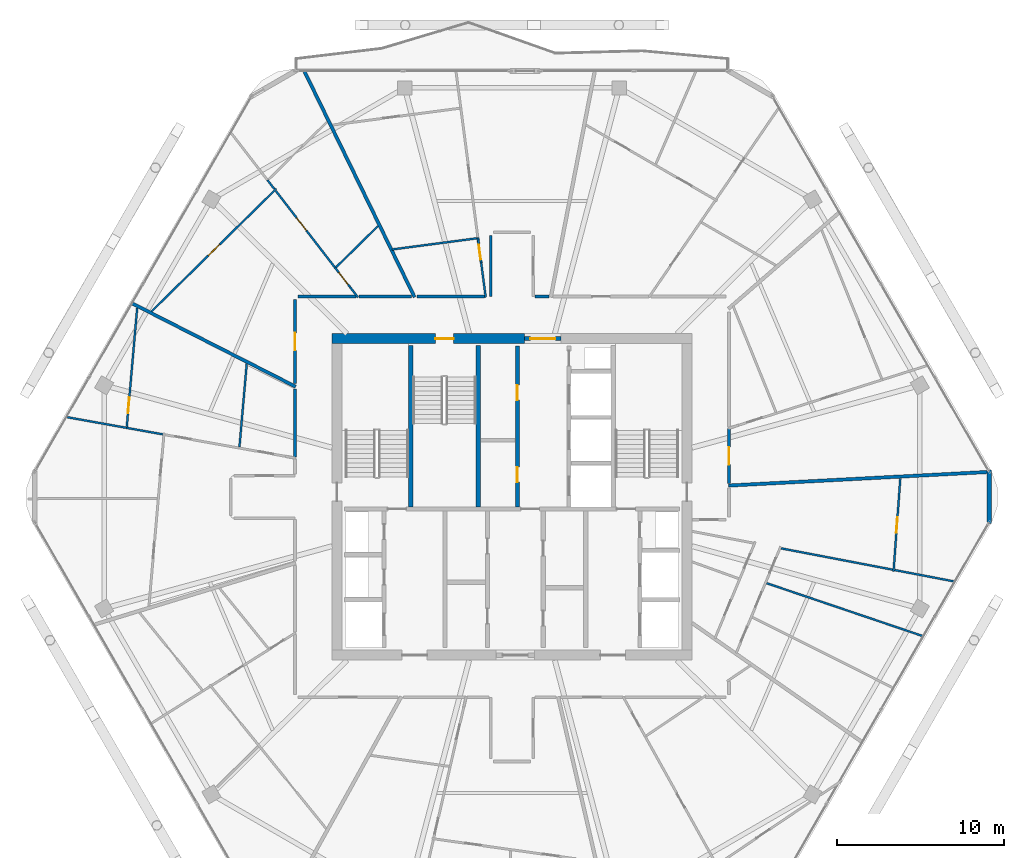
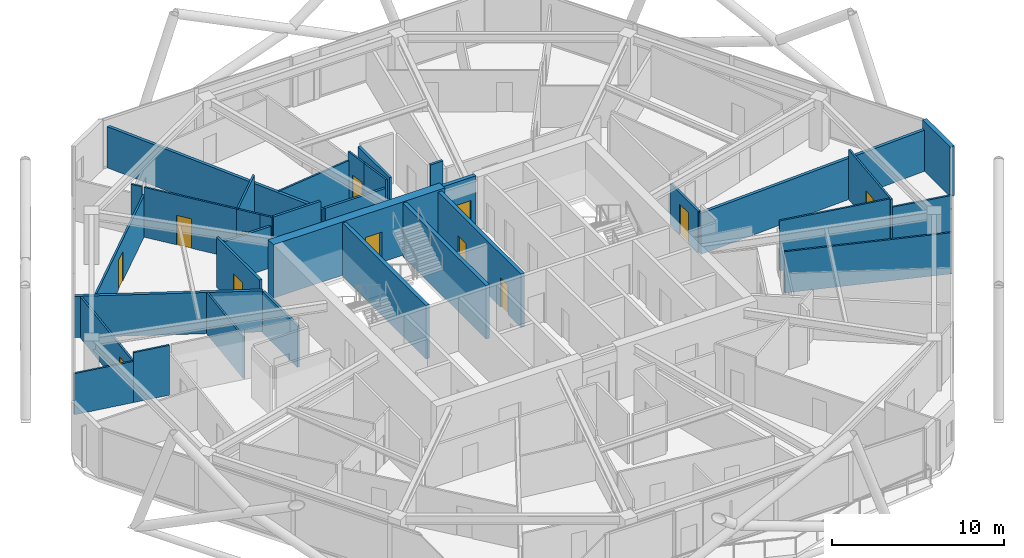
# One storey, part 23 of 27: 34 walls, 12 doors, 12 openings.
"""IFC4 building model written with IfcOpenShell, lengths in metres."""

from ifc_helpers import new_model, si_unit, direction, frame, frame_2d, origin, place, context, subcontext, project, spatial, rectangle, extrude, material, layer, layer_set, type_object, element, fill, save


model = new_model("IFC4")

# Units and contexts
model_context = context("Model", 3, precision=1e-05, world=origin(), true_north=direction((0.0, 1.0)))
body_context = subcontext(model_context, "Body", "Model", "MODEL_VIEW")
ifc_project = project(units=[si_unit("LENGTHUNIT", "METRE"), si_unit("AREAUNIT", "SQUARE_METRE"), si_unit("VOLUMEUNIT", "CUBIC_METRE"), si_unit("PLANEANGLEUNIT", "RADIAN"), si_unit("MASSUNIT", "GRAM", prefix="KILO")], contexts=[model_context])

# Site, building, storey
site_placement = place(None, origin())
site = spatial("IfcSite", under=ifc_project, at=site_placement, CompositionType="ELEMENT")
building_placement = place(site_placement, origin())
building = spatial("IfcBuilding", under=site, at=building_placement, Name="Zuhravey Tower", CompositionType="ELEMENT")
storey_placement = place(building_placement, frame((0.0, 0.0, 276.800048828125)))
storey = spatial("IfcBuildingStorey", under=building, at=storey_placement, Name="L70", CompositionType="ELEMENT", Elevation=276.800048828125)

# Wall, opening, door
ifc_material_1 = material(Name="Concrete C50/60", Category="concrete")
ifc_layer_1 = layer(ifc_material_1, 0.60009765625)
ifc_layer_set_1 = layer_set([ifc_layer_1], Name="Concrete C50/60")
wall_type_1 = type_object("IfcWallType", Name="Core Shear Wall 600", PredefinedType="SHEAR", material=ifc_layer_set_1)
wall_1_placement = place(storey_placement, frame((36.75, 41.5, 0.0), z_axis=(0.0, 0.0, 1.0), x_axis=(-1.0, 0.0, 0.0)))
wall_1 = element("IfcWall", 1, at=wall_1_placement, inside=storey, type_object=wall_type_1, Name="L70 North-West Core Shear Wall CW60", PredefinedType="SHEAR", context=body_context, shape_type="SweptSolid", body=[
    extrude(rectangle(XDim=11.550048828125, YDim=0.60009765625, at=frame_2d((5.77490234375, 0.0))), origin(), (0.0, 0.0, 1.0), 3.800048828125),
])
opening_1_placement = place(wall_1_placement, frame((4.25, 0.0, 0.0)))
opening_1 = element("IfcOpeningElement", 2, at=opening_1_placement, cuts=wall_1, Name="Opening STD1", PredefinedType="OPENING", context=body_context, shape_type="SweptSolid", body=[
    extrude(rectangle(XDim=1.10009765625, YDim=2.14990234375, at=frame_2d((0.550048828125, 1.074951171875))), frame((0.0, 0.31201171875, 0.0), z_axis=(0.0, -1.0, 0.0), x_axis=(1.0, 0.0, 0.0)), (0.0, 0.0, 1.0), 0.6240234375),
])
ifc_material_2 = material(Name="Galvanised fire-rated steel leaf", Category="steel")
door_type_1 = type_object("IfcDoorType", Name="Protected Stair Fire Door 1100x2150", OperationType="NOTDEFINED", PredefinedType="USERDEFINED", material=ifc_material_2)
door_1_placement = place(opening_1_placement, origin())
door_1 = element("IfcDoor", 3, at=door_1_placement, inside=storey, type_object=door_type_1, Name="L70 Stair ST3 Door", ObjectType="EXITDOOR", OperationType="SINGLE_SWING_RIGHT", OverallHeight=2.14990234375, OverallWidth=1.10009765625, PredefinedType="USERDEFINED", context=body_context, shape_type="SweptSolid", body=[
    extrude(rectangle(XDim=1.10009765625, YDim=2.14990234375, at=frame_2d((0.550048828125, 1.074951171875))), frame((0.0, 0.02490234375, 0.0), z_axis=(0.0, -1.0, 0.0), x_axis=(1.0, 0.0, 0.0)), (0.0, 0.0, 1.0), 0.050048828125),
])
fill(opening_1, door_1)

ifc_material_3 = material(Name="Gypsum fire-rated stud partition")
ifc_layer_2 = layer(ifc_material_3, 0.159912109375)
ifc_layer_set_2 = layer_set([ifc_layer_2], Name="Gypsum fire-rated stud partition")
wall_type_2 = type_object("IfcWallType", Name="Corridor Fire Partition 160", PredefinedType="PARTITIONING", material=ifc_layer_set_2)
wall_2_placement = place(storey_placement, frame((49.030029296875, 32.81689453125, 0.0), z_axis=(0.0, 0.0, 1.0), x_axis=(0.0, 1.0, 0.0)))
wall_2 = element("IfcWall", 4, at=wall_2_placement, inside=storey, type_object=wall_type_2, Name="L70 IW16 Partition 050", PredefinedType="PARTITIONING", context=body_context, shape_type="SweptSolid", body=[
    extrude(rectangle(XDim=3.285400390625, YDim=0.159912109375, at=frame_2d((1.642578125, 0.0))), origin(), (0.0, 0.0, 1.0), 2.949951171875),
])
opening_2_placement = place(wall_2_placement, frame((1.11767578125, 0.0, 0.0)))
opening_2 = element("IfcOpeningElement", 5, at=opening_2_placement, cuts=wall_2, Name="Opening APD1", PredefinedType="OPENING", context=body_context, shape_type="SweptSolid", body=[
    extrude(rectangle(XDim=1.050048828125, YDim=2.14990234375, at=frame_2d((0.52490234375, 1.074951171875))), frame((0.0, 0.092041015625, 0.0), z_axis=(0.0, -1.0, 0.0), x_axis=(1.0, 0.0, 0.0)), (0.0, 0.0, 1.0), 0.183837890625),
])
ifc_material_4 = material(Name="Solid-core oak fire-rated leaf")
door_type_2 = type_object("IfcDoorType", Name="Apartment Entrance Fire Door 1050x2150", OperationType="NOTDEFINED", PredefinedType="DOOR", material=ifc_material_4)
door_2_placement = place(opening_2_placement, frame((1.050048828125, 0.0, 0.0), z_axis=(0.0, 0.0, 1.0), x_axis=(-1.0, 0.0, 0.0)))
door_2 = element("IfcDoor", 6, at=door_2_placement, inside=storey, type_object=door_type_2, Name="L70 Door 050.1", OperationType="SINGLE_SWING_RIGHT", OverallHeight=2.14990234375, OverallWidth=1.050048828125, PredefinedType="DOOR", context=body_context, shape_type="SweptSolid", body=[
    extrude(rectangle(XDim=1.050048828125, YDim=2.14990234375, at=frame_2d((0.52490234375, 1.074951171875))), frame((0.0, 0.02490234375, 0.0), z_axis=(0.0, -1.0, 0.0), x_axis=(1.0, 0.0, 0.0)), (0.0, 0.0, 1.0), 0.050048828125),
])
fill(opening_2, door_2)

wall_3_placement = place(storey_placement, frame((22.969970703125, 43.85009765625, 0.0), z_axis=(0.0, 0.0, 1.0), x_axis=(0.0, -1.0, 0.0)))
wall_3 = element("IfcWall", 7, at=wall_3_placement, inside=storey, type_object=wall_type_2, Name="L70 IW16 Partition 065", PredefinedType="PARTITIONING", context=body_context, shape_type="SweptSolid", body=[
    extrude(rectangle(XDim=5.044677734375, YDim=0.159912109375, at=frame_2d((2.5224609375, 0.0))), origin(), (0.0, 0.0, 1.0), 3.550048828125),
])
opening_3_placement = place(wall_3_placement, frame((1.997314453125, 0.0, 0.0)))
opening_3 = element("IfcOpeningElement", 8, at=opening_3_placement, cuts=wall_3, Name="Opening APD1", PredefinedType="OPENING", context=body_context, shape_type="SweptSolid", body=[
    extrude(rectangle(XDim=1.050048828125, YDim=2.14990234375, at=frame_2d((0.52490234375, 1.074951171875))), frame((0.0, 0.092041015625, 0.0), z_axis=(0.0, -1.0, 0.0), x_axis=(1.0, 0.0, 0.0)), (0.0, 0.0, 1.0), 0.183837890625),
])
door_3_placement = place(opening_3_placement, frame((1.050048828125, 0.0, 0.0), z_axis=(0.0, 0.0, 1.0), x_axis=(-1.0, 0.0, 0.0)))
door_3 = element("IfcDoor", 9, at=door_3_placement, inside=storey, type_object=door_type_2, Name="L70 Door 065.1", OperationType="SINGLE_SWING_RIGHT", OverallHeight=2.14990234375, OverallWidth=1.050048828125, PredefinedType="DOOR", context=body_context, shape_type="SweptSolid", body=[
    extrude(rectangle(XDim=1.050048828125, YDim=2.14990234375, at=frame_2d((0.52490234375, 1.074951171875))), frame((0.0, 0.02490234375, 0.0), z_axis=(0.0, -1.0, 0.0), x_axis=(1.0, 0.0, 0.0)), (0.0, 0.0, 1.0), 0.050048828125),
])
fill(opening_3, door_3)

# Walls
wall_4_placement = place(storey_placement, frame((22.969970703125, 38.47412109375, 0.0), z_axis=(0.0, 0.0, 1.0), x_axis=(0.0, -1.0, 0.0)))
element("IfcWall", 10, at=wall_4_placement, inside=storey, type_object=wall_type_2, Name="L70 IW16 Partition 118", PredefinedType="PARTITIONING", context=body_context, shape_type="SweptSolid", body=[
    extrude(rectangle(XDim=4.06982421875, YDim=0.159912109375, at=frame_2d((2.034912109375, 0.0))), origin(), (0.0, 0.0, 1.0), 2.949951171875),
])
wall_5_placement = place(storey_placement, frame((34.719970703125, 47.699951171875, 0.0), z_axis=(0.0, 0.0, 1.0), x_axis=(0.0, -1.0, 0.0)))
element("IfcWall", 11, at=wall_5_placement, inside=storey, type_object=wall_type_2, Name="L70 IW16 Partition 132", PredefinedType="PARTITIONING", context=body_context, shape_type="SweptSolid", body=[
    extrude(rectangle(XDim=3.669921875, YDim=0.159912109375, at=frame_2d((1.8349609375, 0.0))), origin(), (0.0, 0.0, 1.0), 3.550048828125),
])
wall_6_placement = place(storey_placement, frame((38.209228515625, 44.030029296875, 0.0), z_axis=(0.0, 0.0, 1.0), x_axis=(-1.0, 0.0, 0.0)))
element("IfcWall", 12, at=wall_6_placement, inside=storey, type_object=wall_type_2, Name="L70 IW16 Partition 134", PredefinedType="PARTITIONING", context=body_context, shape_type="SweptSolid", body=[
    extrude(rectangle(XDim=0.84130859375, YDim=0.159912109375, at=frame_2d((0.420654296875, 0.0))), origin(), (0.0, 0.0, 1.0), 3.550048828125),
])
wall_7_placement = place(storey_placement, frame((34.34765625, 44.030029296875, 0.0), z_axis=(0.0, 0.0, 1.0), x_axis=(-1.0, 0.0, 0.0)))
element("IfcWall", 13, at=wall_7_placement, inside=storey, type_object=wall_type_2, Name="L70 IW16 Partition 135", PredefinedType="PARTITIONING", context=body_context, shape_type="SweptSolid", body=[
    extrude(rectangle(XDim=4.0634765625, YDim=0.159912109375, at=frame_2d((2.03173828125, 0.0))), origin(), (0.0, 0.0, 1.0), 2.949951171875),
])
wall_8_placement = place(storey_placement, frame((26.629638671875, 44.030029296875, 0.0), z_axis=(0.0, 0.0, 1.0), x_axis=(-1.0, 0.0, 0.0)))
element("IfcWall", 14, at=wall_8_placement, inside=storey, type_object=wall_type_2, Name="L70 IW16 Partition 136", PredefinedType="PARTITIONING", context=body_context, shape_type="SweptSolid", body=[
    extrude(rectangle(XDim=3.479736328125, YDim=0.159912109375, at=frame_2d((1.73974609375, 0.0))), origin(), (0.0, 0.0, 1.0), 2.949951171875),
])
wall_9_placement = place(storey_placement, frame((29.979736328125, 44.030029296875, 0.0), z_axis=(0.0, 0.0, 1.0), x_axis=(-1.0, 0.0, 0.0)))
element("IfcWall", 15, at=wall_9_placement, inside=storey, type_object=wall_type_2, Name="L70 IW16 Partition 137", PredefinedType="PARTITIONING", context=body_context, shape_type="SweptSolid", body=[
    extrude(rectangle(XDim=3.17822265625, YDim=0.159912109375, at=frame_2d((1.589111328125, 0.0))), origin(), (0.0, 0.0, 1.0), 3.550048828125),
])
ifc_material_5 = material(Name="Precast concrete C40/50", Category="concrete")
ifc_layer_3 = layer(ifc_material_5, 0.280029296875)
ifc_layer_set_3 = layer_set([ifc_layer_3], Name="Precast concrete C40/50")
wall_type_3 = type_object("IfcWallType", Name="Crown Architectural Wall 280", PredefinedType="SOLIDWALL", material=ifc_layer_set_3)
wall_10_placement = place(storey_placement, frame((64.64501953125, 33.607421875, 0.0), z_axis=(0.0, 0.0, 1.0), x_axis=(0.0, -1.0, 0.0)))
element("IfcWall", 16, at=wall_10_placement, inside=storey, type_object=wall_type_3, Name="L70 Rounded Corner Closure Wall EW28-12", PredefinedType="SOLIDWALL", context=body_context, shape_type="SweptSolid", body=[
    extrude(rectangle(XDim=3.21484375, YDim=0.280029296875, at=frame_2d((1.607421875, 0.0))), origin(), (0.0, 0.0, 1.0), 3.550048828125),
])

# Wall, opening, door
ifc_layer_4 = layer(ifc_material_1, 0.25)
ifc_layer_set_4 = layer_set([ifc_layer_4], Name="Concrete C50/60")
wall_type_4 = type_object("IfcWallType", Name="Firefighting Shaft & Stair Wall 250", PredefinedType="SOLIDWALL", material=ifc_layer_set_4)
wall_11_placement = place(storey_placement, frame((36.760009765625, 41.5, 0.0), z_axis=(0.0, 0.0, 1.0), x_axis=(1.0, 0.0, 0.0)))
wall_11 = element("IfcWall", 17, at=wall_11_placement, inside=storey, type_object=wall_type_4, Name="L70 FW25 Shaft Wall 002", PredefinedType="SOLIDWALL", context=body_context, shape_type="SweptSolid", body=[
    extrude(rectangle(XDim=2.179931640625, YDim=0.25, at=frame_2d((1.08984375, 0.0))), origin(), (0.0, 0.0, 1.0), 3.800048828125),
])
opening_4_placement = place(wall_11_placement, frame((0.340087890625, 0.0, 0.0)))
opening_4 = element("IfcOpeningElement", 18, at=opening_4_placement, cuts=wall_11, Name="Opening FFD1", PredefinedType="OPENING", context=body_context, shape_type="SweptSolid", body=[
    extrude(rectangle(XDim=1.5, YDim=2.14990234375, at=frame_2d((0.75, 1.074951171875))), frame((0.0, 0.136962890625, 0.0), z_axis=(0.0, -1.0, 0.0), x_axis=(1.0, 0.0, 0.0)), (0.0, 0.0, 1.0), 0.27392578125),
])
door_type_3 = type_object("IfcDoorType", Name="Firefighting Lobby Double Door 1500x2150", OperationType="DOUBLE_DOOR_SINGLE_SWING", PredefinedType="DOOR", material=ifc_material_2)
door_4_placement = place(opening_4_placement, origin())
door_4 = element("IfcDoor", 19, at=door_4_placement, inside=storey, type_object=door_type_3, Name="L70 North Lift Lobby Exit Door", OperationType="DOUBLE_DOOR_SINGLE_SWING", OverallHeight=2.14990234375, OverallWidth=1.5, PredefinedType="DOOR", context=body_context, shape_type="SweptSolid", body=[
    extrude(rectangle(XDim=1.5, YDim=2.14990234375, at=frame_2d((0.75, 1.074951171875))), frame((0.0, 0.02490234375, 0.0), z_axis=(0.0, -1.0, 0.0), x_axis=(1.0, 0.0, 0.0)), (0.0, 0.0, 1.0), 0.050048828125),
])
fill(opening_4, door_4)

# Walls
for number, where, z_axis, x_axis, name in (
    (20, (29.925048828125, 31.39990234375, 0.0), (0.0, 0.0, 1.0), (0.0, 1.0, 0.0), "L70 FW25 Shaft Wall 004"),
    (21, (33.97509765625, 31.39990234375, 0.0), (0.0, 0.0, 1.0), (0.0, 1.0, 0.0), "L70 FW25 Shaft Wall 005"),
):
    element("IfcWall", number, at=place(storey_placement, frame(where, z_axis=z_axis, x_axis=x_axis)), inside=storey, type_object=wall_type_4, Name=name, PredefinedType="SOLIDWALL", context=body_context, shape_type="SweptSolid", body=[
        extrude(rectangle(XDim=9.7001953125, YDim=0.25, at=frame_2d((4.85009765625, 0.0))), origin(), (0.0, 0.0, 1.0), 3.800048828125),
    ])

# Wall, openings, doors
wall_12_placement = place(storey_placement, frame((36.324951171875, 31.39990234375, 0.0), z_axis=(0.0, 0.0, 1.0), x_axis=(0.0, 1.0, 0.0)))
wall_12 = element("IfcWall", 22, at=wall_12_placement, inside=storey, type_object=wall_type_4, Name="L70 FW25 Shaft Wall 007", PredefinedType="SOLIDWALL", context=body_context, shape_type="SweptSolid", body=[
    extrude(rectangle(XDim=9.650146484375, YDim=0.25, at=frame_2d((4.8251953125, 0.0))), origin(), (0.0, 0.0, 1.0), 3.800048828125),
])
opening_5_placement = place(wall_12_placement, frame((1.489990234375, 0.0, 0.0)))
opening_5 = element("IfcOpeningElement", 23, at=opening_5_placement, cuts=wall_12, Name="Opening RSD1", PredefinedType="OPENING", context=body_context, shape_type="SweptSolid", body=[
    extrude(rectangle(XDim=0.89990234375, YDim=2.10009765625, at=frame_2d((0.449951171875, 1.050048828125))), frame((0.0, 0.136962890625, 0.0), z_axis=(0.0, -1.0, 0.0), x_axis=(1.0, 0.0, 0.0)), (0.0, 0.0, 1.0), 0.27392578125),
])
opening_6_placement = place(wall_12_placement, frame((6.409912109375, 0.0, 0.0)))
opening_6 = element("IfcOpeningElement", 24, at=opening_6_placement, cuts=wall_12, Name="Opening RSD1", PredefinedType="OPENING", context=body_context, shape_type="SweptSolid", body=[
    extrude(rectangle(XDim=0.89990234375, YDim=2.10009765625, at=frame_2d((0.449951171875, 1.050048828125))), frame((0.0, 0.136962890625, 0.0), z_axis=(0.0, -1.0, 0.0), x_axis=(1.0, 0.0, 0.0)), (0.0, 0.0, 1.0), 0.27392578125),
])
ifc_material_6 = material(Name="Galvanised fire-rated steel access leaf", Category="steel")
door_type_4 = type_object("IfcDoorType", Name="Riser & Shaft Access Fire Door 900x2100", OperationType="NOTDEFINED", PredefinedType="DOOR", material=ifc_material_6)
door_5_placement = place(opening_5_placement, origin())
door_5 = element("IfcDoor", 25, at=door_5_placement, inside=storey, type_object=door_type_4, Name="L70 Core Cleaner Store Door", OperationType="SINGLE_SWING_RIGHT", OverallHeight=2.10009765625, OverallWidth=0.89990234375, PredefinedType="DOOR", context=body_context, shape_type="SweptSolid", body=[
    extrude(rectangle(XDim=0.89990234375, YDim=2.10009765625, at=frame_2d((0.449951171875, 1.050048828125))), frame((0.0, 0.02490234375, 0.0), z_axis=(0.0, -1.0, 0.0), x_axis=(1.0, 0.0, 0.0)), (0.0, 0.0, 1.0), 0.050048828125),
])
fill(opening_5, door_5)
door_6_placement = place(opening_6_placement, origin())
door_6 = element("IfcDoor", 26, at=door_6_placement, inside=storey, type_object=door_type_4, Name="L70 Core Pantry and Tea Room Door", OperationType="SINGLE_SWING_LEFT", OverallHeight=2.10009765625, OverallWidth=0.89990234375, PredefinedType="DOOR", context=body_context, shape_type="SweptSolid", body=[
    extrude(rectangle(XDim=0.89990234375, YDim=2.10009765625, at=frame_2d((0.449951171875, 1.050048828125))), frame((0.0, 0.02490234375, 0.0), z_axis=(0.0, -1.0, 0.0), x_axis=(1.0, 0.0, 0.0)), (0.0, 0.0, 1.0), 0.050048828125),
])
fill(opening_6, door_6)

# Walls
ifc_material_7 = material(Name="Gypsum double-stud party assembly")
ifc_layer_5 = layer(ifc_material_7, 0.199951171875)
ifc_layer_set_5 = layer_set([ifc_layer_5], Name="Gypsum double-stud party assembly")
wall_type_5 = type_object("IfcWallType", Name="Inter-Tenancy Party Wall 200", PredefinedType="PARTITIONING", material=ifc_layer_set_5)
wall_13_placement = place(storey_placement, frame((23.010009765625, 38.61865234375, 0.0), z_axis=(0.0, 0.0, 1.0), x_axis=(-0.891002805017, 0.453997798951, 0.0)))
element("IfcWall", 27, at=wall_13_placement, inside=storey, type_object=wall_type_5, Name="L70 IW20 Partition 070", PredefinedType="PARTITIONING", context=body_context, shape_type="SweptSolid", body=[
    extrude(rectangle(XDim=11.019775390625, YDim=0.199951171875, at=frame_2d((5.509765625, 0.0))), origin(), (0.0, 0.0, 1.0), 2.929931640625),
])
wall_14_placement = place(storey_placement, frame((48.989990234375, 32.680908203125, 0.0), z_axis=(0.0, 0.0, 1.0), x_axis=(0.998629458789, 0.052337405734, 0.0)))
element("IfcWall", 28, at=wall_14_placement, inside=storey, type_object=wall_type_5, Name="L70 IW20 Partition 098", PredefinedType="PARTITIONING", context=body_context, shape_type="SweptSolid", body=[
    extrude(rectangle(XDim=15.682861328125, YDim=0.199951171875, at=frame_2d((7.84130859375, 0.0))), origin(), (0.0, 0.0, 1.0), 2.929931640625),
])
wall_15_placement = place(storey_placement, frame((30.152099609375, 43.989990234375, 0.0), z_axis=(0.0, 0.0, 1.0), x_axis=(-0.438371715405, 0.898793768967, 0.0)))
element("IfcWall", 29, at=wall_15_placement, inside=storey, type_object=wall_type_5, Name="L70 IW20 Partition 110", PredefinedType="PARTITIONING", context=body_context, shape_type="SweptSolid", body=[
    extrude(rectangle(XDim=15.10205078125, YDim=0.199951171875, at=frame_2d((7.551025390625, 0.0))), origin(), (0.0, 0.0, 1.0), 2.929931640625),
])
ifc_material_8 = material(Name="Gypsum metal-stud partition")
ifc_layer_6 = layer(ifc_material_8, 0.1201171875)
ifc_layer_set_6 = layer_set([ifc_layer_6], Name="Gypsum metal-stud partition")
wall_type_6 = type_object("IfcWallType", Name="Unit Internal Partition 120", PredefinedType="PARTITIONING", material=ifc_layer_set_6)
wall_16_placement = place(storey_placement, frame((15.03955078125, 35.75634765625, 0.0), z_axis=(0.0, 0.0, 1.0), x_axis=(-0.984322452482, 0.176378313689, 0.0)))
element("IfcWall", 30, at=wall_16_placement, inside=storey, type_object=wall_type_6, Name="L70 IW12 Partition 024", PredefinedType="PARTITIONING", context=body_context, shape_type="SweptSolid", body=[
    extrude(rectangle(XDim=2.228515625, YDim=0.1201171875, at=frame_2d((1.1142578125, 0.0))), origin(), (0.0, 0.0, 1.0), 3.550048828125),
])

# Wall, opening, door
wall_17_placement = place(storey_placement, frame((13.49951171875, 43.330078125, 0.0), z_axis=(0.0, 0.0, 1.0), x_axis=(-0.087173732825, -0.996193124, 0.0)))
wall_17 = element("IfcWall", 31, at=wall_17_placement, inside=storey, type_object=wall_type_6, Name="L70 IW12 Partition 025", PredefinedType="PARTITIONING", context=body_context, shape_type="SweptSolid", body=[
    extrude(rectangle(XDim=7.144287109375, YDim=0.1201171875, at=frame_2d((3.572265625, 0.0))), origin(), (0.0, 0.0, 1.0), 2.929931640625),
])
opening_7_placement = place(wall_17_placement, frame((5.381591796875, 0.0, 0.0)))
opening_7 = element("IfcOpeningElement", 32, at=opening_7_placement, cuts=wall_17, Name="Opening IND1", PredefinedType="OPENING", context=body_context, shape_type="SweptSolid", body=[
    extrude(rectangle(XDim=0.949951171875, YDim=2.10009765625, at=frame_2d((0.47509765625, 1.050048828125))), frame((0.0, 0.072021484375, 0.0), z_axis=(0.0, -1.0, 0.0), x_axis=(1.0, 0.0, 0.0)), (0.0, 0.0, 1.0), 0.14404296875),
])
ifc_material_9 = material(Name="Painted engineered timber leaf", Category="wood")
door_type_5 = type_object("IfcDoorType", Name="Internal Room & Bedroom Door 950x2100", OperationType="NOTDEFINED", PredefinedType="DOOR", material=ifc_material_9)
door_7_placement = place(opening_7_placement, frame((0.949951171875, 0.0, 0.0), z_axis=(0.0, 0.0, 1.0), x_axis=(-1.0, 0.0, 0.0)))
door_7 = element("IfcDoor", 33, at=door_7_placement, inside=storey, type_object=door_type_5, Name="Apartment L70-01 Bedroom 1 Door", OperationType="SINGLE_SWING_RIGHT", OverallHeight=2.10009765625, OverallWidth=0.949951171875, PredefinedType="DOOR", context=body_context, shape_type="SweptSolid", body=[
    extrude(rectangle(XDim=0.949951171875, YDim=2.10009765625, at=frame_2d((0.47509765625, 1.050048828125))), frame((0.0, 0.02490234375, 0.0), z_axis=(0.0, -1.0, 0.0), x_axis=(1.0, 0.0, 0.0)), (0.0, 0.0, 1.0), 0.050048828125),
])
fill(opening_7, door_7)

wall_18_placement = place(storey_placement, frame((58.902587890625, 27.52099609375, 0.0), z_axis=(0.0, 0.0, 1.0), x_axis=(0.072523893028, 0.99736667527, 0.0)))
wall_18 = element("IfcWall", 34, at=wall_18_placement, inside=storey, type_object=wall_type_6, Name="L70 IW12 Partition 043", PredefinedType="PARTITIONING", context=body_context, shape_type="SweptSolid", body=[
    extrude(rectangle(XDim=5.61181640625, YDim=0.1201171875, at=frame_2d((2.805908203125, 0.0))), origin(), (0.0, 0.0, 1.0), 3.550048828125),
])
opening_8_placement = place(wall_18_placement, frame((2.330810546875, 0.0, 0.0)))
opening_8 = element("IfcOpeningElement", 35, at=opening_8_placement, cuts=wall_18, Name="Opening IND1", PredefinedType="OPENING", context=body_context, shape_type="SweptSolid", body=[
    extrude(rectangle(XDim=0.949951171875, YDim=2.10009765625, at=frame_2d((0.47509765625, 1.050048828125))), frame((0.0, 0.072021484375, 0.0), z_axis=(0.0, -1.0, 0.0), x_axis=(1.0, 0.0, 0.0)), (0.0, 0.0, 1.0), 0.14404296875),
])
door_8_placement = place(opening_8_placement, frame((0.949951171875, 0.0, 0.0), z_axis=(0.0, 0.0, 1.0), x_axis=(-1.0, 0.0, 0.0)))
door_8 = element("IfcDoor", 36, at=door_8_placement, inside=storey, type_object=door_type_5, Name="Apartment L70-05 Family Study Door", OperationType="SINGLE_SWING_RIGHT", OverallHeight=2.10009765625, OverallWidth=0.949951171875, PredefinedType="DOOR", context=body_context, shape_type="SweptSolid", body=[
    extrude(rectangle(XDim=0.949951171875, YDim=2.10009765625, at=frame_2d((0.47509765625, 1.050048828125))), frame((0.0, 0.02490234375, 0.0), z_axis=(0.0, -1.0, 0.0), x_axis=(1.0, 0.0, 0.0)), (0.0, 0.0, 1.0), 0.050048828125),
])
fill(opening_8, door_8)

wall_19_placement = place(storey_placement, frame((34.14990234375, 46.052001953125, 0.0), z_axis=(0.0, 0.0, 1.0), x_axis=(-0.130446191053, 0.991455390444, 0.0)))
wall_19 = element("IfcWall", 37, at=wall_19_placement, inside=storey, type_object=wall_type_6, Name="L70 IW12 Partition 056", PredefinedType="PARTITIONING", context=body_context, shape_type="SweptSolid", body=[
    extrude(rectangle(XDim=1.517822265625, YDim=0.1201171875, at=frame_2d((0.7587890625, 0.0))), origin(), (0.0, 0.0, 1.0), 3.550048828125),
])
opening_9_placement = place(wall_19_placement, frame((0.199951171875, 0.0, 0.0)))
opening_9 = element("IfcOpeningElement", 38, at=opening_9_placement, cuts=wall_19, Name="Opening WCD1", PredefinedType="OPENING", context=body_context, shape_type="SweptSolid", body=[
    extrude(rectangle(XDim=0.89990234375, YDim=2.10009765625, at=frame_2d((0.449951171875, 1.050048828125))), frame((0.0, 0.072021484375, 0.0), z_axis=(0.0, -1.0, 0.0), x_axis=(1.0, 0.0, 0.0)), (0.0, 0.0, 1.0), 0.14404296875),
])
ifc_material_10 = material(Name="Moisture-resistant timber leaf", Category="wood")
door_type_6 = type_object("IfcDoorType", Name="Bathroom & WC Internal Door 900x2100", OperationType="NOTDEFINED", PredefinedType="DOOR", material=ifc_material_10)
door_9_placement = place(opening_9_placement, origin())
door_9 = element("IfcDoor", 39, at=door_9_placement, inside=storey, type_object=door_type_6, Name="Apartment L70-08 Bathroom Door", OperationType="SINGLE_SWING_RIGHT", OverallHeight=2.10009765625, OverallWidth=0.89990234375, PredefinedType="DOOR", context=body_context, shape_type="SweptSolid", body=[
    extrude(rectangle(XDim=0.89990234375, YDim=2.10009765625, at=frame_2d((0.449951171875, 1.050048828125))), frame((0.0, 0.02490234375, 0.0), z_axis=(0.0, -1.0, 0.0), x_axis=(1.0, 0.0, 0.0)), (0.0, 0.0, 1.0), 0.050048828125),
])
fill(opening_9, door_9)

wall_20_placement = place(storey_placement, frame((21.851318359375, 50.49609375, 0.0), z_axis=(0.0, 0.0, 1.0), x_axis=(-0.713249440672, -0.700910290537, 0.0)))
wall_20 = element("IfcWall", 40, at=wall_20_placement, inside=storey, type_object=wall_type_6, Name="L70 IW12 Partition 060", PredefinedType="PARTITIONING", context=body_context, shape_type="SweptSolid", body=[
    extrude(rectangle(XDim=10.486572265625, YDim=0.1201171875, at=frame_2d((5.2431640625, 0.0))), origin(), (0.0, 0.0, 1.0), 2.949951171875),
])
opening_10_placement = place(wall_20_placement, frame((4.768310546875, 0.0, 0.0)))
opening_10 = element("IfcOpeningElement", 41, at=opening_10_placement, cuts=wall_20, Name="Opening IND1", PredefinedType="OPENING", context=body_context, shape_type="SweptSolid", body=[
    extrude(rectangle(XDim=0.949951171875, YDim=2.10009765625, at=frame_2d((0.47509765625, 1.050048828125))), frame((0.0, 0.072021484375, 0.0), z_axis=(0.0, -1.0, 0.0), x_axis=(1.0, 0.0, 0.0)), (0.0, 0.0, 1.0), 0.14404296875),
])
door_10_placement = place(opening_10_placement, frame((0.949951171875, 0.0, 0.0), z_axis=(0.0, 0.0, 1.0), x_axis=(-1.0, 0.0, 0.0)))
door_10 = element("IfcDoor", 42, at=door_10_placement, inside=storey, type_object=door_type_5, Name="Apartment L70-09 Family Study Door", OperationType="SINGLE_SWING_RIGHT", OverallHeight=2.10009765625, OverallWidth=0.949951171875, PredefinedType="DOOR", context=body_context, shape_type="SweptSolid", body=[
    extrude(rectangle(XDim=0.949951171875, YDim=2.10009765625, at=frame_2d((0.47509765625, 1.050048828125))), frame((0.0, 0.02490234375, 0.0), z_axis=(0.0, -1.0, 0.0), x_axis=(1.0, 0.0, 0.0)), (0.0, 0.0, 1.0), 0.050048828125),
])
fill(opening_10, door_10)

wall_21_placement = place(storey_placement, frame((26.275634765625, 44.60009765625, 0.0), z_axis=(0.0, 0.0, 1.0), x_axis=(-0.611021070932, 0.791614332158, 0.0)))
wall_21 = element("IfcWall", 43, at=wall_21_placement, inside=storey, type_object=wall_type_6, Name="L70 IW12 Partition 061", PredefinedType="PARTITIONING", context=body_context, shape_type="SweptSolid", body=[
    extrude(rectangle(XDim=1.466796875, YDim=0.1201171875, at=frame_2d((0.7333984375, 0.0))), origin(), (0.0, 0.0, 1.0), 3.550048828125),
])
opening_11_placement = place(wall_21_placement, frame((0.199951171875, 0.0, 0.0)))
opening_11 = element("IfcOpeningElement", 44, at=opening_11_placement, cuts=wall_21, Name="Opening WCD1", PredefinedType="OPENING", context=body_context, shape_type="SweptSolid", body=[
    extrude(rectangle(XDim=0.89990234375, YDim=2.10009765625, at=frame_2d((0.449951171875, 1.050048828125))), frame((0.0, 0.072021484375, 0.0), z_axis=(0.0, -1.0, 0.0), x_axis=(1.0, 0.0, 0.0)), (0.0, 0.0, 1.0), 0.14404296875),
])
door_11_placement = place(opening_11_placement, frame((0.89990234375, 0.0, 0.0), z_axis=(0.0, 0.0, 1.0), x_axis=(-1.0, 0.0, 0.0)))
door_11 = element("IfcDoor", 45, at=door_11_placement, inside=storey, type_object=door_type_6, Name="Apartment L70-09 Bathroom Door", OperationType="SINGLE_SWING_LEFT", OverallHeight=2.10009765625, OverallWidth=0.89990234375, PredefinedType="DOOR", context=body_context, shape_type="SweptSolid", body=[
    extrude(rectangle(XDim=0.89990234375, YDim=2.10009765625, at=frame_2d((0.449951171875, 1.050048828125))), frame((0.0, 0.02490234375, 0.0), z_axis=(0.0, -1.0, 0.0), x_axis=(1.0, 0.0, 0.0)), (0.0, 0.0, 1.0), 0.050048828125),
])
fill(opening_11, door_11)

wall_22_placement = place(storey_placement, frame((25.37939453125, 45.76123046875, 0.0), z_axis=(0.0, 0.0, 1.0), x_axis=(-0.610990418686, 0.791637990671, 0.0)))
wall_22 = element("IfcWall", 46, at=wall_22_placement, inside=storey, type_object=wall_type_6, Name="L70 IW12 Partition 062", PredefinedType="PARTITIONING", context=body_context, shape_type="SweptSolid", body=[
    extrude(rectangle(XDim=5.823486328125, YDim=0.1201171875, at=frame_2d((2.91162109375, 0.0))), origin(), (0.0, 0.0, 1.0), 3.550048828125),
])
opening_12_placement = place(wall_22_placement, frame((2.822998046875, 0.0, 0.0)))
opening_12 = element("IfcOpeningElement", 47, at=opening_12_placement, cuts=wall_22, Name="Opening IND1", PredefinedType="OPENING", context=body_context, shape_type="SweptSolid", body=[
    extrude(rectangle(XDim=0.949951171875, YDim=2.10009765625, at=frame_2d((0.47509765625, 1.050048828125))), frame((0.0, 0.072021484375, 0.0), z_axis=(0.0, -1.0, 0.0), x_axis=(1.0, 0.0, 0.0)), (0.0, 0.0, 1.0), 0.14404296875),
])
door_12_placement = place(opening_12_placement, frame((0.949951171875, 0.0, 0.0), z_axis=(0.0, 0.0, 1.0), x_axis=(-1.0, 0.0, 0.0)))
door_12 = element("IfcDoor", 48, at=door_12_placement, inside=storey, type_object=door_type_5, Name="Apartment L70-09 Home Office Door", OperationType="SINGLE_SWING_RIGHT", OverallHeight=2.10009765625, OverallWidth=0.949951171875, PredefinedType="DOOR", context=body_context, shape_type="SweptSolid", body=[
    extrude(rectangle(XDim=0.949951171875, YDim=2.10009765625, at=frame_2d((0.47509765625, 1.050048828125))), frame((0.0, 0.02490234375, 0.0), z_axis=(0.0, -1.0, 0.0), x_axis=(1.0, 0.0, 0.0)), (0.0, 0.0, 1.0), 0.050048828125),
])
fill(opening_12, door_12)

# Walls
wall_23_placement = place(storey_placement, frame((21.73779296875, 50.47998046875, 0.0), z_axis=(0.0, 0.0, 1.0), x_axis=(-0.611052177593, 0.791590320973, 0.0)))
element("IfcWall", 49, at=wall_23_placement, inside=storey, type_object=wall_type_6, Name="L70 IW12 Partition 063", PredefinedType="PARTITIONING", context=body_context, shape_type="SweptSolid", body=[
    extrude(rectangle(XDim=0.685546875, YDim=0.1201171875, at=frame_2d((0.3427734375, 0.0))), origin(), (0.0, 0.0, 1.0), 3.550048828125),
])
wall_24_placement = place(storey_placement, frame((12.845947265625, 36.1494140625, 0.0), z_axis=(0.0, 0.0, 1.0), x_axis=(-0.984314332116, 0.176423625375, 0.0)))
element("IfcWall", 50, at=wall_24_placement, inside=storey, type_object=wall_type_6, Name="L70 IW12 Partition 073", PredefinedType="PARTITIONING", context=body_context, shape_type="SweptSolid", body=[
    extrude(rectangle(XDim=3.657470703125, YDim=0.1201171875, at=frame_2d((1.82861328125, 0.0))), origin(), (0.0, 0.0, 1.0), 2.929931640625),
])
wall_25_placement = place(storey_placement, frame((20.076904296875, 39.9921875, 0.0), z_axis=(0.0, 0.0, 1.0), x_axis=(-0.087174203927, -0.996193082775, 0.0)))
element("IfcWall", 51, at=wall_25_placement, inside=storey, type_object=wall_type_6, Name="L70 IW12 Partition 074", PredefinedType="PARTITIONING", context=body_context, shape_type="SweptSolid", body=[
    extrude(rectangle(XDim=5.01025390625, YDim=0.1201171875, at=frame_2d((2.505126953125, 0.0))), origin(), (0.0, 0.0, 1.0), 2.949951171875),
])
wall_26_placement = place(storey_placement, frame((51.28466796875, 26.822509765625, 0.0), z_axis=(0.0, 0.0, 1.0), x_axis=(0.947134584663, -0.320836529302, 0.0)))
element("IfcWall", 52, at=wall_26_placement, inside=storey, type_object=wall_type_6, Name="L70 IW12 Partition 094", PredefinedType="PARTITIONING", context=body_context, shape_type="SweptSolid", body=[
    extrude(rectangle(XDim=9.940185546875, YDim=0.1201171875, at=frame_2d((4.97021484375, 0.0))), origin(), (0.0, 0.0, 1.0), 2.929931640625),
])
wall_27_placement = place(storey_placement, frame((52.156982421875, 28.912109375, 0.0), z_axis=(0.0, 0.0, 1.0), x_axis=(0.982220961198, -0.187728483144, 0.0)))
element("IfcWall", 53, at=wall_27_placement, inside=storey, type_object=wall_type_6, Name="L70 IW12 Partition 096", PredefinedType="PARTITIONING", context=body_context, shape_type="SweptSolid", body=[
    extrude(rectangle(XDim=6.806884765625, YDim=0.1201171875, at=frame_2d((3.4033203125, 0.0))), origin(), (0.0, 0.0, 1.0), 3.550048828125),
])
wall_28_placement = place(storey_placement, frame((58.97705078125, 27.608642578125, 0.0), z_axis=(0.0, 0.0, 1.0), x_axis=(0.982222884099, -0.187718421986, 0.0)))
element("IfcWall", 54, at=wall_28_placement, inside=storey, type_object=wall_type_6, Name="L70 IW12 Partition 097", PredefinedType="PARTITIONING", context=body_context, shape_type="SweptSolid", body=[
    extrude(rectangle(XDim=3.681884765625, YDim=0.1201171875, at=frame_2d((1.8408203125, 0.0))), origin(), (0.0, 0.0, 1.0), 2.929931640625),
])
wall_29_placement = place(storey_placement, frame((34.422119140625, 43.985107421875, 0.0), z_axis=(0.0, 0.0, 1.0), x_axis=(-0.13057568554, 0.991438344198, 0.0)))
element("IfcWall", 55, at=wall_29_placement, inside=storey, type_object=wall_type_6, Name="L70 IW12 Partition 107", PredefinedType="PARTITIONING", context=body_context, shape_type="SweptSolid", body=[
    extrude(rectangle(XDim=2.084716796875, YDim=0.1201171875, at=frame_2d((1.04248046875, 0.0))), origin(), (0.0, 0.0, 1.0), 3.550048828125),
])
wall_30_placement = place(storey_placement, frame((33.8876953125, 47.523193359375, 0.0), z_axis=(0.0, 0.0, 1.0), x_axis=(-0.991446514555, -0.130513634444, 0.0)))
element("IfcWall", 56, at=wall_30_placement, inside=storey, type_object=wall_type_6, Name="L70 IW12 Partition 109", PredefinedType="PARTITIONING", context=body_context, shape_type="SweptSolid", body=[
    extrude(rectangle(XDim=5.12744140625, YDim=0.1201171875, at=frame_2d((2.563720703125, 0.0))), origin(), (0.0, 0.0, 1.0), 2.949951171875),
])
wall_31_placement = place(storey_placement, frame((26.750244140625, 43.985107421875, 0.0), z_axis=(0.0, 0.0, 1.0), x_axis=(-0.610955434965, 0.79166499006, 0.0)))
element("IfcWall", 57, at=wall_31_placement, inside=storey, type_object=wall_type_6, Name="L70 IW12 Partition 111", PredefinedType="PARTITIONING", context=body_context, shape_type="SweptSolid", body=[
    extrude(rectangle(XDim=0.77685546875, YDim=0.1201171875, at=frame_2d((0.388427734375, 0.0))), origin(), (0.0, 0.0, 1.0), 3.550048828125),
])
wall_32_placement = place(storey_placement, frame((27.951904296875, 48.25439453125, 0.0), z_axis=(0.0, 0.0, 1.0), x_axis=(-0.713223784255, -0.700936397666, 0.0)))
element("IfcWall", 58, at=wall_32_placement, inside=storey, type_object=wall_type_6, Name="L70 IW12 Partition 113", PredefinedType="PARTITIONING", context=body_context, shape_type="SweptSolid", body=[
    extrude(rectangle(XDim=3.516845703125, YDim=0.1201171875, at=frame_2d((1.75830078125, 0.0))), origin(), (0.0, 0.0, 1.0), 3.550048828125),
])

save(model, "model.ifc")
